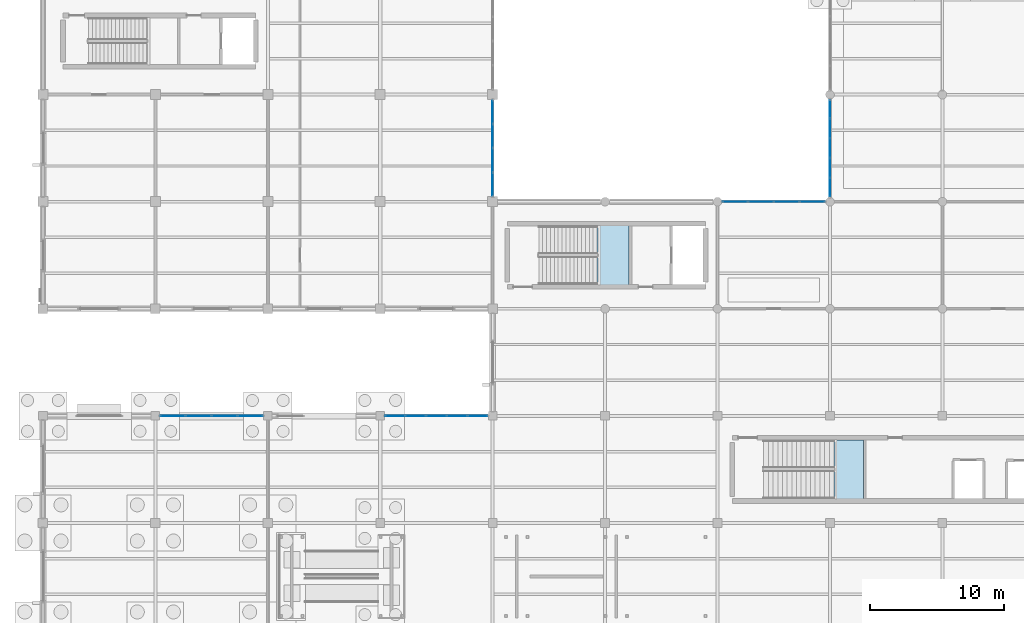
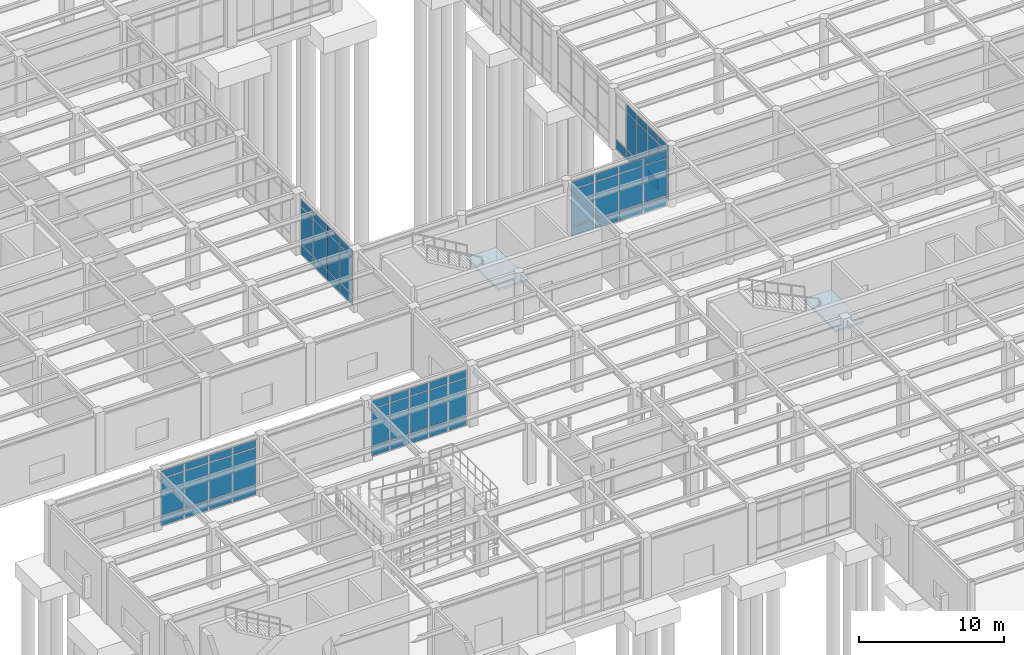
# One storey, part 65 of 138: 64 plates, 2 slabs, 7 elements without a shape of their own.
"""IFC4 building model written with IfcOpenShell, lengths in metres."""

from ifc_helpers import new_model, si_unit, direction, frame, origin, origin_2d, place, context, subcontext, project, spatial, polyline, rectangle, outline, extrude, material, layer, layer_set, type_object, element, aggregate, save


model = new_model("IFC4")

# Units and contexts
model_context = context("Model", 3, precision=1e-05, world=origin(), true_north=direction((0.0, 1.0)))
body_context = subcontext(model_context, "Body", "Model", "MODEL_VIEW")
ifc_project = project(units=[si_unit("LENGTHUNIT", "METRE"), si_unit("AREAUNIT", "SQUARE_METRE"), si_unit("VOLUMEUNIT", "CUBIC_METRE"), si_unit("PLANEANGLEUNIT", "RADIAN"), si_unit("MASSUNIT", "GRAM", prefix="KILO")], contexts=[model_context])

# Site, building, storey
site_placement = place(None, origin())
site = spatial("IfcSite", under=ifc_project, at=site_placement, CompositionType="ELEMENT")
building_placement = place(site_placement, origin())
building = spatial("IfcBuilding", under=site, at=building_placement, Name="Kranzveld Transit Interchange", CompositionType="ELEMENT")
storey_placement = place(building_placement, origin())
storey = spatial("IfcBuildingStorey", under=building, at=storey_placement, Name="L00", CompositionType="ELEMENT", Elevation=0.0)

# Curtain wall, plates
ifc_material_1 = material(Name="Bronze-anodised thermally broken aluminium", Category="aluminium")
ifc_layer_1 = layer(ifc_material_1, 0.1650390625)
ifc_layer_set_1 = layer_set([ifc_layer_1], Name="Bronze-anodised thermally broken aluminium")
curtain_wall_type_1 = type_object("IfcCurtainWallType", Name="Sunny Court Arcade Curtain Wall CW-2", PredefinedType="USERDEFINED", material=ifc_layer_set_1)
curtain_wall_1_placement = place(storey_placement, origin())
curtain_wall_1 = element("IfcCurtainWall", 1, at=curtain_wall_1_placement, inside=storey, type_object=curtain_wall_type_1, Name="L00 Curtain Wall 04/F-05/F", ObjectType="CURTAIN WALL", PredefinedType="USERDEFINED")
ifc_material_2 = material(Name="Solar-control double glazing", Category="glass")
ifc_layer_2 = layer(ifc_material_2, 0.02392578125)
ifc_layer_set_2 = layer_set([ifc_layer_2], Name="Solar-control double glazing")
plate_type_1 = type_object("IfcPlateType", Name="Curtain Panel Clear Glazing 24", PredefinedType="CURTAIN_PANEL", material=ifc_layer_set_2)
plate_1_placement = place(storey_placement, frame((26.316162109375, 40.0, 0.06005859375), z_axis=(0.0, 0.0, 1.0), x_axis=(1.0, 0.0, 0.0)))
plate_1 = element("IfcPlate", 2, at=plate_1_placement, type_object=plate_type_1, Name="CW-2 panel 1.1", PredefinedType="CURTAIN_PANEL", context=body_context, shape_type="SweptSolid", body=[
    extrude(rectangle(XDim=1.452392578125, YDim=0.02392578125, at=origin_2d()), origin(), (0.0, 0.0, 1.0), 0.81005859375),
])
plate_2_placement = place(storey_placement, frame((26.316162109375, 40.0, 0.929931640625), z_axis=(0.0, 0.0, 1.0), x_axis=(1.0, 0.0, 0.0)))
plate_2 = element("IfcPlate", 3, at=plate_2_placement, type_object=plate_type_1, Name="CW-2 panel 1.2", PredefinedType="CURTAIN_PANEL", context=body_context, shape_type="SweptSolid", body=[
    extrude(rectangle(XDim=1.452392578125, YDim=0.02392578125, at=origin_2d()), origin(), (0.0, 0.0, 1.0), 3.08056640625),
])
plate_3_placement = place(storey_placement, frame((26.316162109375, 40.0, 4.0703125), z_axis=(0.0, 0.0, 1.0), x_axis=(1.0, 0.0, 0.0)))
plate_3 = element("IfcPlate", 4, at=plate_3_placement, type_object=plate_type_1, Name="CW-2 panel 1.3", PredefinedType="CURTAIN_PANEL", context=body_context, shape_type="SweptSolid", body=[
    extrude(rectangle(XDim=1.452392578125, YDim=0.02392578125, at=origin_2d()), origin(), (0.0, 0.0, 1.0), 0.610107421875),
])
plate_4_placement = place(storey_placement, frame((27.85009765625, 40.0, 0.06005859375), z_axis=(0.0, 0.0, 1.0), x_axis=(1.0, 0.0, 0.0)))
plate_4 = element("IfcPlate", 5, at=plate_4_placement, type_object=plate_type_1, Name="CW-2 panel 2.1", PredefinedType="CURTAIN_PANEL", context=body_context, shape_type="SweptSolid", body=[
    extrude(rectangle(XDim=1.485107421875, YDim=0.02392578125, at=origin_2d()), origin(), (0.0, 0.0, 1.0), 0.81005859375),
])
plate_5_placement = place(storey_placement, frame((27.85009765625, 40.0, 0.929931640625), z_axis=(0.0, 0.0, 1.0), x_axis=(1.0, 0.0, 0.0)))
plate_5 = element("IfcPlate", 6, at=plate_5_placement, type_object=plate_type_1, Name="CW-2 panel 2.2", PredefinedType="CURTAIN_PANEL", context=body_context, shape_type="SweptSolid", body=[
    extrude(rectangle(XDim=1.485107421875, YDim=0.02392578125, at=origin_2d()), origin(), (0.0, 0.0, 1.0), 3.08056640625),
])
plate_6_placement = place(storey_placement, frame((27.85009765625, 40.0, 4.0703125), z_axis=(0.0, 0.0, 1.0), x_axis=(1.0, 0.0, 0.0)))
plate_6 = element("IfcPlate", 7, at=plate_6_placement, type_object=plate_type_1, Name="CW-2 panel 2.3", PredefinedType="CURTAIN_PANEL", context=body_context, shape_type="SweptSolid", body=[
    extrude(rectangle(XDim=1.485107421875, YDim=0.02392578125, at=origin_2d()), origin(), (0.0, 0.0, 1.0), 0.610107421875),
])
plate_7_placement = place(storey_placement, frame((29.39990234375, 40.0, 0.06005859375), z_axis=(0.0, 0.0, 1.0), x_axis=(1.0, 0.0, 0.0)))
plate_7 = element("IfcPlate", 8, at=plate_7_placement, type_object=plate_type_1, Name="CW-2 panel 3.1", PredefinedType="CURTAIN_PANEL", context=body_context, shape_type="SweptSolid", body=[
    extrude(rectangle(XDim=1.485107421875, YDim=0.02392578125, at=origin_2d()), origin(), (0.0, 0.0, 1.0), 0.81005859375),
])
plate_8_placement = place(storey_placement, frame((29.39990234375, 40.0, 0.929931640625), z_axis=(0.0, 0.0, 1.0), x_axis=(1.0, 0.0, 0.0)))
plate_8 = element("IfcPlate", 9, at=plate_8_placement, type_object=plate_type_1, Name="CW-2 panel 3.2", PredefinedType="CURTAIN_PANEL", context=body_context, shape_type="SweptSolid", body=[
    extrude(rectangle(XDim=1.485107421875, YDim=0.02392578125, at=origin_2d()), origin(), (0.0, 0.0, 1.0), 3.08056640625),
])
plate_9_placement = place(storey_placement, frame((29.39990234375, 40.0, 4.0703125), z_axis=(0.0, 0.0, 1.0), x_axis=(1.0, 0.0, 0.0)))
plate_9 = element("IfcPlate", 10, at=plate_9_placement, type_object=plate_type_1, Name="CW-2 panel 3.3", PredefinedType="CURTAIN_PANEL", context=body_context, shape_type="SweptSolid", body=[
    extrude(rectangle(XDim=1.485107421875, YDim=0.02392578125, at=origin_2d()), origin(), (0.0, 0.0, 1.0), 0.610107421875),
])
plate_10_placement = place(storey_placement, frame((30.949951171875, 40.0, 0.06005859375), z_axis=(0.0, 0.0, 1.0), x_axis=(1.0, 0.0, 0.0)))
plate_10 = element("IfcPlate", 11, at=plate_10_placement, type_object=plate_type_1, Name="CW-2 panel 4.1", PredefinedType="CURTAIN_PANEL", context=body_context, shape_type="SweptSolid", body=[
    extrude(rectangle(XDim=1.485107421875, YDim=0.02392578125, at=origin_2d()), origin(), (0.0, 0.0, 1.0), 0.81005859375),
])
plate_11_placement = place(storey_placement, frame((30.949951171875, 40.0, 0.929931640625), z_axis=(0.0, 0.0, 1.0), x_axis=(1.0, 0.0, 0.0)))
plate_11 = element("IfcPlate", 12, at=plate_11_placement, type_object=plate_type_1, Name="CW-2 panel 4.2", PredefinedType="CURTAIN_PANEL", context=body_context, shape_type="SweptSolid", body=[
    extrude(rectangle(XDim=1.485107421875, YDim=0.02392578125, at=origin_2d()), origin(), (0.0, 0.0, 1.0), 3.08056640625),
])
plate_12_placement = place(storey_placement, frame((30.949951171875, 40.0, 4.0703125), z_axis=(0.0, 0.0, 1.0), x_axis=(1.0, 0.0, 0.0)))
plate_12 = element("IfcPlate", 13, at=plate_12_placement, type_object=plate_type_1, Name="CW-2 panel 4.3", PredefinedType="CURTAIN_PANEL", context=body_context, shape_type="SweptSolid", body=[
    extrude(rectangle(XDim=1.485107421875, YDim=0.02392578125, at=origin_2d()), origin(), (0.0, 0.0, 1.0), 0.610107421875),
])
plate_13_placement = place(storey_placement, frame((32.483642578125, 40.0, 0.06005859375), z_axis=(0.0, 0.0, 1.0), x_axis=(1.0, 0.0, 0.0)))
plate_13 = element("IfcPlate", 14, at=plate_13_placement, type_object=plate_type_1, Name="CW-2 panel 5.1", PredefinedType="CURTAIN_PANEL", context=body_context, shape_type="SweptSolid", body=[
    extrude(rectangle(XDim=1.452392578125, YDim=0.02392578125, at=origin_2d()), origin(), (0.0, 0.0, 1.0), 0.81005859375),
])
plate_14_placement = place(storey_placement, frame((32.483642578125, 40.0, 0.929931640625), z_axis=(0.0, 0.0, 1.0), x_axis=(1.0, 0.0, 0.0)))
plate_14 = element("IfcPlate", 15, at=plate_14_placement, type_object=plate_type_1, Name="CW-2 panel 5.2", PredefinedType="CURTAIN_PANEL", context=body_context, shape_type="SweptSolid", body=[
    extrude(rectangle(XDim=1.452392578125, YDim=0.02392578125, at=origin_2d()), origin(), (0.0, 0.0, 1.0), 3.08056640625),
])
plate_15_placement = place(storey_placement, frame((32.483642578125, 40.0, 4.0703125), z_axis=(0.0, 0.0, 1.0), x_axis=(1.0, 0.0, 0.0)))
plate_15 = element("IfcPlate", 16, at=plate_15_placement, type_object=plate_type_1, Name="CW-2 panel 5.3", PredefinedType="CURTAIN_PANEL", context=body_context, shape_type="SweptSolid", body=[
    extrude(rectangle(XDim=1.452392578125, YDim=0.02392578125, at=origin_2d()), origin(), (0.0, 0.0, 1.0), 0.610107421875),
])
aggregate(curtain_wall_1, [plate_1, plate_2, plate_3, plate_4, plate_5, plate_6, plate_7, plate_8, plate_9, plate_10, plate_11, plate_12, plate_13, plate_14, plate_15])

curtain_wall_2_placement = place(storey_placement, origin())
curtain_wall_2 = element("IfcCurtainWall", 17, at=curtain_wall_2_placement, inside=storey, type_object=curtain_wall_type_1, Name="L00 Curtain Wall 08/H-08/J", ObjectType="CURTAIN WALL", PredefinedType="USERDEFINED")
plate_16_placement = place(storey_placement, frame((58.800048828125, 57.076171875, 0.06005859375), z_axis=(0.0, 0.0, 1.0), x_axis=(0.0, 1.0, 0.0)))
plate_16 = element("IfcPlate", 18, at=plate_16_placement, type_object=plate_type_1, Name="CW-2 panel 1.1", PredefinedType="CURTAIN_PANEL", context=body_context, shape_type="SweptSolid", body=[
    extrude(rectangle(XDim=1.37255859375, YDim=0.02392578125, at=origin_2d()), origin(), (0.0, 0.0, 1.0), 0.81005859375),
])
plate_17_placement = place(storey_placement, frame((58.800048828125, 57.076171875, 0.929931640625), z_axis=(0.0, 0.0, 1.0), x_axis=(0.0, 1.0, 0.0)))
plate_17 = element("IfcPlate", 19, at=plate_17_placement, type_object=plate_type_1, Name="CW-2 panel 1.2", PredefinedType="CURTAIN_PANEL", context=body_context, shape_type="SweptSolid", body=[
    extrude(rectangle(XDim=1.37255859375, YDim=0.02392578125, at=origin_2d()), origin(), (0.0, 0.0, 1.0), 3.08740234375),
])
plate_18_placement = place(storey_placement, frame((58.800048828125, 57.076171875, 4.0771484375), z_axis=(0.0, 0.0, 1.0), x_axis=(0.0, 1.0, 0.0)))
plate_18 = element("IfcPlate", 20, at=plate_18_placement, type_object=plate_type_1, Name="CW-2 panel 1.3", PredefinedType="CURTAIN_PANEL", context=body_context, shape_type="SweptSolid", body=[
    extrude(rectangle(XDim=1.37255859375, YDim=0.02392578125, at=origin_2d()), origin(), (0.0, 0.0, 1.0), 0.610107421875),
])
plate_19_placement = place(storey_placement, frame((58.800048828125, 58.530029296875, 0.06005859375), z_axis=(0.0, 0.0, 1.0), x_axis=(0.0, 1.0, 0.0)))
plate_19 = element("IfcPlate", 21, at=plate_19_placement, type_object=plate_type_1, Name="CW-2 panel 2.1", PredefinedType="CURTAIN_PANEL", context=body_context, shape_type="SweptSolid", body=[
    extrude(rectangle(XDim=1.405029296875, YDim=0.02392578125, at=origin_2d()), origin(), (0.0, 0.0, 1.0), 0.81005859375),
])
plate_20_placement = place(storey_placement, frame((58.800048828125, 58.530029296875, 0.929931640625), z_axis=(0.0, 0.0, 1.0), x_axis=(0.0, 1.0, 0.0)))
plate_20 = element("IfcPlate", 22, at=plate_20_placement, type_object=plate_type_1, Name="CW-2 panel 2.2", PredefinedType="CURTAIN_PANEL", context=body_context, shape_type="SweptSolid", body=[
    extrude(rectangle(XDim=1.405029296875, YDim=0.02392578125, at=origin_2d()), origin(), (0.0, 0.0, 1.0), 3.08740234375),
])
plate_21_placement = place(storey_placement, frame((58.800048828125, 58.530029296875, 4.0771484375), z_axis=(0.0, 0.0, 1.0), x_axis=(0.0, 1.0, 0.0)))
plate_21 = element("IfcPlate", 23, at=plate_21_placement, type_object=plate_type_1, Name="CW-2 panel 2.3", PredefinedType="CURTAIN_PANEL", context=body_context, shape_type="SweptSolid", body=[
    extrude(rectangle(XDim=1.405029296875, YDim=0.02392578125, at=origin_2d()), origin(), (0.0, 0.0, 1.0), 0.610107421875),
])
plate_22_placement = place(storey_placement, frame((58.800048828125, 60.0, 0.06005859375), z_axis=(0.0, 0.0, 1.0), x_axis=(0.0, 1.0, 0.0)))
plate_22 = element("IfcPlate", 24, at=plate_22_placement, type_object=plate_type_1, Name="CW-2 panel 3.1", PredefinedType="CURTAIN_PANEL", context=body_context, shape_type="SweptSolid", body=[
    extrude(rectangle(XDim=1.405029296875, YDim=0.02392578125, at=origin_2d()), origin(), (0.0, 0.0, 1.0), 0.81005859375),
])
plate_23_placement = place(storey_placement, frame((58.800048828125, 60.0, 0.929931640625), z_axis=(0.0, 0.0, 1.0), x_axis=(0.0, 1.0, 0.0)))
plate_23 = element("IfcPlate", 25, at=plate_23_placement, type_object=plate_type_1, Name="CW-2 panel 3.2", PredefinedType="CURTAIN_PANEL", context=body_context, shape_type="SweptSolid", body=[
    extrude(rectangle(XDim=1.405029296875, YDim=0.02392578125, at=origin_2d()), origin(), (0.0, 0.0, 1.0), 3.08740234375),
])
plate_24_placement = place(storey_placement, frame((58.800048828125, 60.0, 4.0771484375), z_axis=(0.0, 0.0, 1.0), x_axis=(0.0, 1.0, 0.0)))
plate_24 = element("IfcPlate", 26, at=plate_24_placement, type_object=plate_type_1, Name="CW-2 panel 3.3", PredefinedType="CURTAIN_PANEL", context=body_context, shape_type="SweptSolid", body=[
    extrude(rectangle(XDim=1.405029296875, YDim=0.02392578125, at=origin_2d()), origin(), (0.0, 0.0, 1.0), 0.610107421875),
])
plate_25_placement = place(storey_placement, frame((58.800048828125, 61.469970703125, 0.06005859375), z_axis=(0.0, 0.0, 1.0), x_axis=(0.0, 1.0, 0.0)))
plate_25 = element("IfcPlate", 27, at=plate_25_placement, type_object=plate_type_1, Name="CW-2 panel 4.1", PredefinedType="CURTAIN_PANEL", context=body_context, shape_type="SweptSolid", body=[
    extrude(rectangle(XDim=1.405029296875, YDim=0.02392578125, at=origin_2d()), origin(), (0.0, 0.0, 1.0), 0.81005859375),
])
plate_26_placement = place(storey_placement, frame((58.800048828125, 61.469970703125, 0.929931640625), z_axis=(0.0, 0.0, 1.0), x_axis=(0.0, 1.0, 0.0)))
plate_26 = element("IfcPlate", 28, at=plate_26_placement, type_object=plate_type_1, Name="CW-2 panel 4.2", PredefinedType="CURTAIN_PANEL", context=body_context, shape_type="SweptSolid", body=[
    extrude(rectangle(XDim=1.405029296875, YDim=0.02392578125, at=origin_2d()), origin(), (0.0, 0.0, 1.0), 3.08740234375),
])
plate_27_placement = place(storey_placement, frame((58.800048828125, 61.469970703125, 4.0771484375), z_axis=(0.0, 0.0, 1.0), x_axis=(0.0, 1.0, 0.0)))
plate_27 = element("IfcPlate", 29, at=plate_27_placement, type_object=plate_type_1, Name="CW-2 panel 4.3", PredefinedType="CURTAIN_PANEL", context=body_context, shape_type="SweptSolid", body=[
    extrude(rectangle(XDim=1.405029296875, YDim=0.02392578125, at=origin_2d()), origin(), (0.0, 0.0, 1.0), 0.610107421875),
])
plate_28_placement = place(storey_placement, frame((58.800048828125, 62.923828125, 0.06005859375), z_axis=(0.0, 0.0, 1.0), x_axis=(0.0, 1.0, 0.0)))
plate_28 = element("IfcPlate", 30, at=plate_28_placement, type_object=plate_type_1, Name="CW-2 panel 5.1", PredefinedType="CURTAIN_PANEL", context=body_context, shape_type="SweptSolid", body=[
    extrude(rectangle(XDim=1.37255859375, YDim=0.02392578125, at=origin_2d()), origin(), (0.0, 0.0, 1.0), 0.81005859375),
])
aggregate(curtain_wall_2, [plate_16, plate_17, plate_18, plate_19, plate_20, plate_21, plate_22, plate_23, plate_24, plate_25, plate_26, plate_27, plate_28])

ifc_material_3 = material(Name="Bronze-anodised thermally broken aluminium", Category="aluminium")
ifc_layer_3 = layer(ifc_material_3, 0.179931640625)
ifc_layer_set_3 = layer_set([ifc_layer_3], Name="Bronze-anodised thermally broken aluminium")
curtain_wall_type_2 = type_object("IfcCurtainWallType", Name="Concourse Unitised Curtain Wall CW-1", PredefinedType="USERDEFINED", material=ifc_layer_set_3)
curtain_wall_3_placement = place(storey_placement, origin())
curtain_wall_3 = element("IfcCurtainWall", 31, at=curtain_wall_3_placement, inside=storey, type_object=curtain_wall_type_2, Name="L00 Curtain Wall 02/F-03/F", ObjectType="CURTAIN WALL", PredefinedType="USERDEFINED")
ifc_material_4 = material(Name="Solar-control double glazing", Category="glass")
ifc_layer_4 = layer(ifc_material_4, 0.028076171875)
ifc_layer_set_4 = layer_set([ifc_layer_4], Name="Solar-control double glazing")
plate_type_2 = type_object("IfcPlateType", Name="Curtain Panel Double Glazing 28", PredefinedType="CURTAIN_PANEL", material=ifc_layer_set_4)
plate_29_placement = place(storey_placement, frame((9.7099609375, 40.0, 0.06494140625), z_axis=(0.0, 0.0, 1.0), x_axis=(1.0, 0.0, 0.0)))
plate_29 = element("IfcPlate", 32, at=plate_29_placement, type_object=plate_type_2, Name="CW-1 panel 1.1", PredefinedType="CURTAIN_PANEL", context=body_context, shape_type="SweptSolid", body=[
    extrude(rectangle(XDim=1.840087890625, YDim=0.028076171875, at=origin_2d()), origin(), (0.0, 0.0, 1.0), 0.802490234375),
])
plate_30_placement = place(storey_placement, frame((9.7099609375, 40.0, 0.932373046875), z_axis=(0.0, 0.0, 1.0), x_axis=(1.0, 0.0, 0.0)))
plate_30 = element("IfcPlate", 33, at=plate_30_placement, type_object=plate_type_2, Name="CW-1 panel 1.2", PredefinedType="CURTAIN_PANEL", context=body_context, shape_type="SweptSolid", body=[
    extrude(rectangle(XDim=1.840087890625, YDim=0.028076171875, at=origin_2d()), origin(), (0.0, 0.0, 1.0), 3.07568359375),
])
plate_31_placement = place(storey_placement, frame((9.7099609375, 40.0, 4.072998046875), z_axis=(0.0, 0.0, 1.0), x_axis=(1.0, 0.0, 0.0)))
plate_31 = element("IfcPlate", 34, at=plate_31_placement, type_object=plate_type_2, Name="CW-1 panel 1.3", PredefinedType="CURTAIN_PANEL", context=body_context, shape_type="SweptSolid", body=[
    extrude(rectangle(XDim=1.840087890625, YDim=0.028076171875, at=origin_2d()), origin(), (0.0, 0.0, 1.0), 0.6025390625),
])
plate_32_placement = place(storey_placement, frame((11.63134765625, 40.0, 0.06494140625), z_axis=(0.0, 0.0, 1.0), x_axis=(1.0, 0.0, 0.0)))
plate_32 = element("IfcPlate", 35, at=plate_32_placement, type_object=plate_type_2, Name="CW-1 panel 2.1", PredefinedType="CURTAIN_PANEL", context=body_context, shape_type="SweptSolid", body=[
    extrude(rectangle(XDim=1.87255859375, YDim=0.028076171875, at=origin_2d()), origin(), (0.0, 0.0, 1.0), 0.802490234375),
])
plate_33_placement = place(storey_placement, frame((11.63134765625, 40.0, 0.932373046875), z_axis=(0.0, 0.0, 1.0), x_axis=(1.0, 0.0, 0.0)))
plate_33 = element("IfcPlate", 36, at=plate_33_placement, type_object=plate_type_2, Name="CW-1 panel 2.2", PredefinedType="CURTAIN_PANEL", context=body_context, shape_type="SweptSolid", body=[
    extrude(rectangle(XDim=1.87255859375, YDim=0.028076171875, at=origin_2d()), origin(), (0.0, 0.0, 1.0), 3.07568359375),
])
plate_34_placement = place(storey_placement, frame((11.63134765625, 40.0, 4.072998046875), z_axis=(0.0, 0.0, 1.0), x_axis=(1.0, 0.0, 0.0)))
plate_34 = element("IfcPlate", 37, at=plate_34_placement, type_object=plate_type_2, Name="CW-1 panel 2.3", PredefinedType="CURTAIN_PANEL", context=body_context, shape_type="SweptSolid", body=[
    extrude(rectangle(XDim=1.87255859375, YDim=0.028076171875, at=origin_2d()), origin(), (0.0, 0.0, 1.0), 0.6025390625),
])
plate_35_placement = place(storey_placement, frame((13.56884765625, 40.0, 0.06494140625), z_axis=(0.0, 0.0, 1.0), x_axis=(1.0, 0.0, 0.0)))
plate_35 = element("IfcPlate", 38, at=plate_35_placement, type_object=plate_type_2, Name="CW-1 panel 3.1", PredefinedType="CURTAIN_PANEL", context=body_context, shape_type="SweptSolid", body=[
    extrude(rectangle(XDim=1.87255859375, YDim=0.028076171875, at=origin_2d()), origin(), (0.0, 0.0, 1.0), 0.802490234375),
])
plate_36_placement = place(storey_placement, frame((13.56884765625, 40.0, 0.932373046875), z_axis=(0.0, 0.0, 1.0), x_axis=(1.0, 0.0, 0.0)))
plate_36 = element("IfcPlate", 39, at=plate_36_placement, type_object=plate_type_2, Name="CW-1 panel 3.2", PredefinedType="CURTAIN_PANEL", context=body_context, shape_type="SweptSolid", body=[
    extrude(rectangle(XDim=1.87255859375, YDim=0.028076171875, at=origin_2d()), origin(), (0.0, 0.0, 1.0), 3.07568359375),
])
plate_37_placement = place(storey_placement, frame((13.56884765625, 40.0, 4.072998046875), z_axis=(0.0, 0.0, 1.0), x_axis=(1.0, 0.0, 0.0)))
plate_37 = element("IfcPlate", 40, at=plate_37_placement, type_object=plate_type_2, Name="CW-1 panel 3.3", PredefinedType="CURTAIN_PANEL", context=body_context, shape_type="SweptSolid", body=[
    extrude(rectangle(XDim=1.87255859375, YDim=0.028076171875, at=origin_2d()), origin(), (0.0, 0.0, 1.0), 0.6025390625),
])
plate_38_placement = place(storey_placement, frame((15.489990234375, 40.0, 0.06494140625), z_axis=(0.0, 0.0, 1.0), x_axis=(1.0, 0.0, 0.0)))
plate_38 = element("IfcPlate", 41, at=plate_38_placement, type_object=plate_type_2, Name="CW-1 panel 4.1", PredefinedType="CURTAIN_PANEL", context=body_context, shape_type="SweptSolid", body=[
    extrude(rectangle(XDim=1.840087890625, YDim=0.028076171875, at=origin_2d()), origin(), (0.0, 0.0, 1.0), 0.802490234375),
])
plate_39_placement = place(storey_placement, frame((15.489990234375, 40.0, 0.932373046875), z_axis=(0.0, 0.0, 1.0), x_axis=(1.0, 0.0, 0.0)))
plate_39 = element("IfcPlate", 42, at=plate_39_placement, type_object=plate_type_2, Name="CW-1 panel 4.2", PredefinedType="CURTAIN_PANEL", context=body_context, shape_type="SweptSolid", body=[
    extrude(rectangle(XDim=1.840087890625, YDim=0.028076171875, at=origin_2d()), origin(), (0.0, 0.0, 1.0), 3.07568359375),
])
plate_40_placement = place(storey_placement, frame((15.489990234375, 40.0, 4.072998046875), z_axis=(0.0, 0.0, 1.0), x_axis=(1.0, 0.0, 0.0)))
plate_40 = element("IfcPlate", 43, at=plate_40_placement, type_object=plate_type_2, Name="CW-1 panel 4.3", PredefinedType="CURTAIN_PANEL", context=body_context, shape_type="SweptSolid", body=[
    extrude(rectangle(XDim=1.840087890625, YDim=0.028076171875, at=origin_2d()), origin(), (0.0, 0.0, 1.0), 0.6025390625),
])
aggregate(curtain_wall_3, [plate_29, plate_30, plate_31, plate_32, plate_33, plate_34, plate_35, plate_36, plate_37, plate_38, plate_39, plate_40])

curtain_wall_4_placement = place(storey_placement, origin())
curtain_wall_4 = element("IfcCurtainWall", 44, at=curtain_wall_4_placement, inside=storey, type_object=curtain_wall_type_2, Name="L00 Curtain Wall 07/H-08/H", ObjectType="CURTAIN WALL", PredefinedType="USERDEFINED")
plate_41_placement = place(storey_placement, frame((51.7099609375, 56.0, 0.06494140625), z_axis=(0.0, 0.0, 1.0), x_axis=(1.0, 0.0, 0.0)))
plate_41 = element("IfcPlate", 45, at=plate_41_placement, type_object=plate_type_2, Name="CW-1 panel 1.1", PredefinedType="CURTAIN_PANEL", context=body_context, shape_type="SweptSolid", body=[
    extrude(rectangle(XDim=1.840087890625, YDim=0.028076171875, at=origin_2d()), origin(), (0.0, 0.0, 1.0), 0.802490234375),
])
plate_42_placement = place(storey_placement, frame((51.7099609375, 56.0, 0.932373046875), z_axis=(0.0, 0.0, 1.0), x_axis=(1.0, 0.0, 0.0)))
plate_42 = element("IfcPlate", 46, at=plate_42_placement, type_object=plate_type_2, Name="CW-1 panel 1.2", PredefinedType="CURTAIN_PANEL", context=body_context, shape_type="SweptSolid", body=[
    extrude(rectangle(XDim=1.840087890625, YDim=0.028076171875, at=origin_2d()), origin(), (0.0, 0.0, 1.0), 3.07568359375),
])
plate_43_placement = place(storey_placement, frame((51.7099609375, 56.0, 4.072998046875), z_axis=(0.0, 0.0, 1.0), x_axis=(1.0, 0.0, 0.0)))
plate_43 = element("IfcPlate", 47, at=plate_43_placement, type_object=plate_type_2, Name="CW-1 panel 1.3", PredefinedType="CURTAIN_PANEL", context=body_context, shape_type="SweptSolid", body=[
    extrude(rectangle(XDim=1.840087890625, YDim=0.028076171875, at=origin_2d()), origin(), (0.0, 0.0, 1.0), 0.6025390625),
])
plate_44_placement = place(storey_placement, frame((53.63134765625, 56.0, 0.06494140625), z_axis=(0.0, 0.0, 1.0), x_axis=(1.0, 0.0, 0.0)))
plate_44 = element("IfcPlate", 48, at=plate_44_placement, type_object=plate_type_2, Name="CW-1 panel 2.1", PredefinedType="CURTAIN_PANEL", context=body_context, shape_type="SweptSolid", body=[
    extrude(rectangle(XDim=1.87255859375, YDim=0.028076171875, at=origin_2d()), origin(), (0.0, 0.0, 1.0), 0.802490234375),
])
plate_45_placement = place(storey_placement, frame((53.63134765625, 56.0, 0.932373046875), z_axis=(0.0, 0.0, 1.0), x_axis=(1.0, 0.0, 0.0)))
plate_45 = element("IfcPlate", 49, at=plate_45_placement, type_object=plate_type_2, Name="CW-1 panel 2.2", PredefinedType="CURTAIN_PANEL", context=body_context, shape_type="SweptSolid", body=[
    extrude(rectangle(XDim=1.87255859375, YDim=0.028076171875, at=origin_2d()), origin(), (0.0, 0.0, 1.0), 3.07568359375),
])
plate_46_placement = place(storey_placement, frame((53.63134765625, 56.0, 4.072998046875), z_axis=(0.0, 0.0, 1.0), x_axis=(1.0, 0.0, 0.0)))
plate_46 = element("IfcPlate", 50, at=plate_46_placement, type_object=plate_type_2, Name="CW-1 panel 2.3", PredefinedType="CURTAIN_PANEL", context=body_context, shape_type="SweptSolid", body=[
    extrude(rectangle(XDim=1.87255859375, YDim=0.028076171875, at=origin_2d()), origin(), (0.0, 0.0, 1.0), 0.6025390625),
])
plate_47_placement = place(storey_placement, frame((55.56884765625, 56.0, 0.06494140625), z_axis=(0.0, 0.0, 1.0), x_axis=(1.0, 0.0, 0.0)))
plate_47 = element("IfcPlate", 51, at=plate_47_placement, type_object=plate_type_2, Name="CW-1 panel 3.1", PredefinedType="CURTAIN_PANEL", context=body_context, shape_type="SweptSolid", body=[
    extrude(rectangle(XDim=1.87255859375, YDim=0.028076171875, at=origin_2d()), origin(), (0.0, 0.0, 1.0), 0.802490234375),
])
plate_48_placement = place(storey_placement, frame((55.56884765625, 56.0, 0.932373046875), z_axis=(0.0, 0.0, 1.0), x_axis=(1.0, 0.0, 0.0)))
plate_48 = element("IfcPlate", 52, at=plate_48_placement, type_object=plate_type_2, Name="CW-1 panel 3.2", PredefinedType="CURTAIN_PANEL", context=body_context, shape_type="SweptSolid", body=[
    extrude(rectangle(XDim=1.87255859375, YDim=0.028076171875, at=origin_2d()), origin(), (0.0, 0.0, 1.0), 3.07568359375),
])
plate_49_placement = place(storey_placement, frame((55.56884765625, 56.0, 4.072998046875), z_axis=(0.0, 0.0, 1.0), x_axis=(1.0, 0.0, 0.0)))
plate_49 = element("IfcPlate", 53, at=plate_49_placement, type_object=plate_type_2, Name="CW-1 panel 3.3", PredefinedType="CURTAIN_PANEL", context=body_context, shape_type="SweptSolid", body=[
    extrude(rectangle(XDim=1.87255859375, YDim=0.028076171875, at=origin_2d()), origin(), (0.0, 0.0, 1.0), 0.6025390625),
])
plate_50_placement = place(storey_placement, frame((57.489990234375, 56.0, 0.06494140625), z_axis=(0.0, 0.0, 1.0), x_axis=(1.0, 0.0, 0.0)))
plate_50 = element("IfcPlate", 54, at=plate_50_placement, type_object=plate_type_2, Name="CW-1 panel 4.1", PredefinedType="CURTAIN_PANEL", context=body_context, shape_type="SweptSolid", body=[
    extrude(rectangle(XDim=1.840087890625, YDim=0.028076171875, at=origin_2d()), origin(), (0.0, 0.0, 1.0), 0.802490234375),
])
plate_51_placement = place(storey_placement, frame((57.489990234375, 56.0, 0.932373046875), z_axis=(0.0, 0.0, 1.0), x_axis=(1.0, 0.0, 0.0)))
plate_51 = element("IfcPlate", 55, at=plate_51_placement, type_object=plate_type_2, Name="CW-1 panel 4.2", PredefinedType="CURTAIN_PANEL", context=body_context, shape_type="SweptSolid", body=[
    extrude(rectangle(XDim=1.840087890625, YDim=0.028076171875, at=origin_2d()), origin(), (0.0, 0.0, 1.0), 3.07568359375),
])
plate_52_placement = place(storey_placement, frame((57.489990234375, 56.0, 4.072998046875), z_axis=(0.0, 0.0, 1.0), x_axis=(1.0, 0.0, 0.0)))
plate_52 = element("IfcPlate", 56, at=plate_52_placement, type_object=plate_type_2, Name="CW-1 panel 4.3", PredefinedType="CURTAIN_PANEL", context=body_context, shape_type="SweptSolid", body=[
    extrude(rectangle(XDim=1.840087890625, YDim=0.028076171875, at=origin_2d()), origin(), (0.0, 0.0, 1.0), 0.6025390625),
])
aggregate(curtain_wall_4, [plate_41, plate_42, plate_43, plate_44, plate_45, plate_46, plate_47, plate_48, plate_49, plate_50, plate_51, plate_52])

ifc_material_5 = material(Name="Bronze-anodised thermally broken aluminium", Category="aluminium")
ifc_layer_5 = layer(ifc_material_5, 0.18505859375)
ifc_layer_set_5 = layer_set([ifc_layer_5], Name="Bronze-anodised thermally broken aluminium")
curtain_wall_type_3 = type_object("IfcCurtainWallType", Name="Control Crown Observation Facade CW-5", PredefinedType="USERDEFINED", material=ifc_layer_set_5)
curtain_wall_5_placement = place(storey_placement, origin())
curtain_wall_5 = element("IfcCurtainWall", 57, at=curtain_wall_5_placement, inside=storey, type_object=curtain_wall_type_3, Name="L00 Curtain Wall 05/H-05/J", ObjectType="CURTAIN WALL", PredefinedType="USERDEFINED")
ifc_material_6 = material(Name="Solar-control double glazing", Category="glass")
ifc_layer_6 = layer(ifc_material_6, 0.035888671875)
ifc_layer_set_6 = layer_set([ifc_layer_6], Name="Solar-control double glazing")
plate_type_3 = type_object("IfcPlateType", Name="Curtain Panel Triple Glazing 36", PredefinedType="CURTAIN_PANEL", material=ifc_layer_set_6)
plate_53_placement = place(storey_placement, frame((33.60009765625, 57.297607421875, 0.06494140625), z_axis=(0.0, 0.0, 1.0), x_axis=(0.0, 1.0, 0.0)))
plate_53 = element("IfcPlate", 58, at=plate_53_placement, type_object=plate_type_3, Name="CW-5 panel 1.1", PredefinedType="CURTAIN_PANEL", context=body_context, shape_type="SweptSolid", body=[
    extrude(rectangle(XDim=1.715087890625, YDim=0.035888671875, at=origin_2d()), origin(), (0.0, 0.0, 1.0), 0.802490234375),
])
plate_54_placement = place(storey_placement, frame((33.60009765625, 57.297607421875, 0.932373046875), z_axis=(0.0, 0.0, 1.0), x_axis=(0.0, 1.0, 0.0)))
plate_54 = element("IfcPlate", 59, at=plate_54_placement, type_object=plate_type_3, Name="CW-5 panel 1.2", PredefinedType="CURTAIN_PANEL", context=body_context, shape_type="SweptSolid", body=[
    extrude(rectangle(XDim=1.715087890625, YDim=0.035888671875, at=origin_2d()), origin(), (0.0, 0.0, 1.0), 3.08251953125),
])
plate_55_placement = place(storey_placement, frame((33.60009765625, 57.297607421875, 4.079833984375), z_axis=(0.0, 0.0, 1.0), x_axis=(0.0, 1.0, 0.0)))
plate_55 = element("IfcPlate", 60, at=plate_55_placement, type_object=plate_type_3, Name="CW-5 panel 1.3", PredefinedType="CURTAIN_PANEL", context=body_context, shape_type="SweptSolid", body=[
    extrude(rectangle(XDim=1.715087890625, YDim=0.035888671875, at=origin_2d()), origin(), (0.0, 0.0, 1.0), 0.6025390625),
])
plate_56_placement = place(storey_placement, frame((33.60009765625, 59.09375, 0.06494140625), z_axis=(0.0, 0.0, 1.0), x_axis=(0.0, 1.0, 0.0)))
plate_56 = element("IfcPlate", 61, at=plate_56_placement, type_object=plate_type_3, Name="CW-5 panel 2.1", PredefinedType="CURTAIN_PANEL", context=body_context, shape_type="SweptSolid", body=[
    extrude(rectangle(XDim=1.74755859375, YDim=0.035888671875, at=origin_2d()), origin(), (0.0, 0.0, 1.0), 0.802490234375),
])
plate_57_placement = place(storey_placement, frame((33.60009765625, 59.09375, 0.932373046875), z_axis=(0.0, 0.0, 1.0), x_axis=(0.0, 1.0, 0.0)))
plate_57 = element("IfcPlate", 62, at=plate_57_placement, type_object=plate_type_3, Name="CW-5 panel 2.2", PredefinedType="CURTAIN_PANEL", context=body_context, shape_type="SweptSolid", body=[
    extrude(rectangle(XDim=1.74755859375, YDim=0.035888671875, at=origin_2d()), origin(), (0.0, 0.0, 1.0), 3.08251953125),
])
plate_58_placement = place(storey_placement, frame((33.60009765625, 59.09375, 4.079833984375), z_axis=(0.0, 0.0, 1.0), x_axis=(0.0, 1.0, 0.0)))
plate_58 = element("IfcPlate", 63, at=plate_58_placement, type_object=plate_type_3, Name="CW-5 panel 2.3", PredefinedType="CURTAIN_PANEL", context=body_context, shape_type="SweptSolid", body=[
    extrude(rectangle(XDim=1.74755859375, YDim=0.035888671875, at=origin_2d()), origin(), (0.0, 0.0, 1.0), 0.6025390625),
])
plate_59_placement = place(storey_placement, frame((33.60009765625, 60.90625, 0.06494140625), z_axis=(0.0, 0.0, 1.0), x_axis=(0.0, 1.0, 0.0)))
plate_59 = element("IfcPlate", 64, at=plate_59_placement, type_object=plate_type_3, Name="CW-5 panel 3.1", PredefinedType="CURTAIN_PANEL", context=body_context, shape_type="SweptSolid", body=[
    extrude(rectangle(XDim=1.74755859375, YDim=0.035888671875, at=origin_2d()), origin(), (0.0, 0.0, 1.0), 0.802490234375),
])
plate_60_placement = place(storey_placement, frame((33.60009765625, 60.90625, 0.932373046875), z_axis=(0.0, 0.0, 1.0), x_axis=(0.0, 1.0, 0.0)))
plate_60 = element("IfcPlate", 65, at=plate_60_placement, type_object=plate_type_3, Name="CW-5 panel 3.2", PredefinedType="CURTAIN_PANEL", context=body_context, shape_type="SweptSolid", body=[
    extrude(rectangle(XDim=1.74755859375, YDim=0.035888671875, at=origin_2d()), origin(), (0.0, 0.0, 1.0), 3.08251953125),
])
plate_61_placement = place(storey_placement, frame((33.60009765625, 60.90625, 4.079833984375), z_axis=(0.0, 0.0, 1.0), x_axis=(0.0, 1.0, 0.0)))
plate_61 = element("IfcPlate", 66, at=plate_61_placement, type_object=plate_type_3, Name="CW-5 panel 3.3", PredefinedType="CURTAIN_PANEL", context=body_context, shape_type="SweptSolid", body=[
    extrude(rectangle(XDim=1.74755859375, YDim=0.035888671875, at=origin_2d()), origin(), (0.0, 0.0, 1.0), 0.6025390625),
])
plate_62_placement = place(storey_placement, frame((33.60009765625, 62.702392578125, 0.06494140625), z_axis=(0.0, 0.0, 1.0), x_axis=(0.0, 1.0, 0.0)))
plate_62 = element("IfcPlate", 67, at=plate_62_placement, type_object=plate_type_3, Name="CW-5 panel 4.1", PredefinedType="CURTAIN_PANEL", context=body_context, shape_type="SweptSolid", body=[
    extrude(rectangle(XDim=1.715087890625, YDim=0.035888671875, at=origin_2d()), origin(), (0.0, 0.0, 1.0), 0.802490234375),
])
plate_63_placement = place(storey_placement, frame((33.60009765625, 62.702392578125, 0.932373046875), z_axis=(0.0, 0.0, 1.0), x_axis=(0.0, 1.0, 0.0)))
plate_63 = element("IfcPlate", 68, at=plate_63_placement, type_object=plate_type_3, Name="CW-5 panel 4.2", PredefinedType="CURTAIN_PANEL", context=body_context, shape_type="SweptSolid", body=[
    extrude(rectangle(XDim=1.715087890625, YDim=0.035888671875, at=origin_2d()), origin(), (0.0, 0.0, 1.0), 3.08251953125),
])
plate_64_placement = place(storey_placement, frame((33.60009765625, 62.702392578125, 4.079833984375), z_axis=(0.0, 0.0, 1.0), x_axis=(0.0, 1.0, 0.0)))
plate_64 = element("IfcPlate", 69, at=plate_64_placement, type_object=plate_type_3, Name="CW-5 panel 4.3", PredefinedType="CURTAIN_PANEL", context=body_context, shape_type="SweptSolid", body=[
    extrude(rectangle(XDim=1.715087890625, YDim=0.035888671875, at=origin_2d()), origin(), (0.0, 0.0, 1.0), 0.6025390625),
])
aggregate(curtain_wall_5, [plate_53, plate_54, plate_55, plate_56, plate_57, plate_58, plate_59, plate_60, plate_61, plate_62, plate_63, plate_64])

# Stair, slab
ifc_material_7 = material(Name="Concrete C35/45", Category="concrete")
stair_type = type_object("IfcStairType", Name="Dogleg Stair 2100W H5440 C35/45", PredefinedType="HALF_TURN_STAIR", material=ifc_material_7)
stair_1_placement = place(storey_placement, origin())
stair_1 = element("IfcStair", 70, at=stair_1_placement, inside=storey, type_object=stair_type, Name="L00 Metro West Core C5", PredefinedType="HALF_TURN_STAIR")
ifc_material_8 = material(Name="Concrete C35/45", Category="concrete")
ifc_layer_7 = layer(ifc_material_8, 0.199951171875)
ifc_layer_set_7 = layer_set([ifc_layer_7], Name="Concrete C35/45")
slab_type = type_object("IfcSlabType", Name="Stair & Ramp Landing 200 C35/45", PredefinedType="LANDING", material=ifc_layer_set_7)
slab_1_placement = place(storey_placement, frame((0.0, 0.0, 2.52001953125)))
slab_1 = element("IfcSlab", 71, at=slab_1_placement, type_object=slab_type, Name="ST-M1 landing 1", PredefinedType="LANDING", context=body_context, shape_type="SweptSolid", body=[
    extrude(outline(polyline([(41.39990234375, 49.784912109375), (43.800048828125, 49.784912109375), (43.800048828125, 54.215087890625), (41.39990234375, 54.215087890625), (41.39990234375, 49.784912109375)])), origin(), (0.0, 0.0, 1.0), 0.199951171875),
])
aggregate(stair_1, [slab_1])

stair_2_placement = place(storey_placement, origin())
stair_2 = element("IfcStair", 72, at=stair_2_placement, inside=storey, type_object=stair_type, Name="L00 Metro East & Bus Mezzanine Core C6", PredefinedType="HALF_TURN_STAIR")
slab_2_placement = place(storey_placement, frame((0.0, 0.0, 2.52001953125)))
slab_2 = element("IfcSlab", 73, at=slab_2_placement, type_object=slab_type, Name="ST-M2 landing 1", PredefinedType="LANDING", context=body_context, shape_type="SweptSolid", body=[
    extrude(outline(polyline([(59.10009765625, 33.784912109375), (61.300048828125, 33.784912109375), (61.300048828125, 38.215087890625), (59.10009765625, 38.215087890625), (59.10009765625, 33.784912109375)])), origin(), (0.0, 0.0, 1.0), 0.199951171875),
])
aggregate(stair_2, [slab_2])

save(model, "model.ifc")
